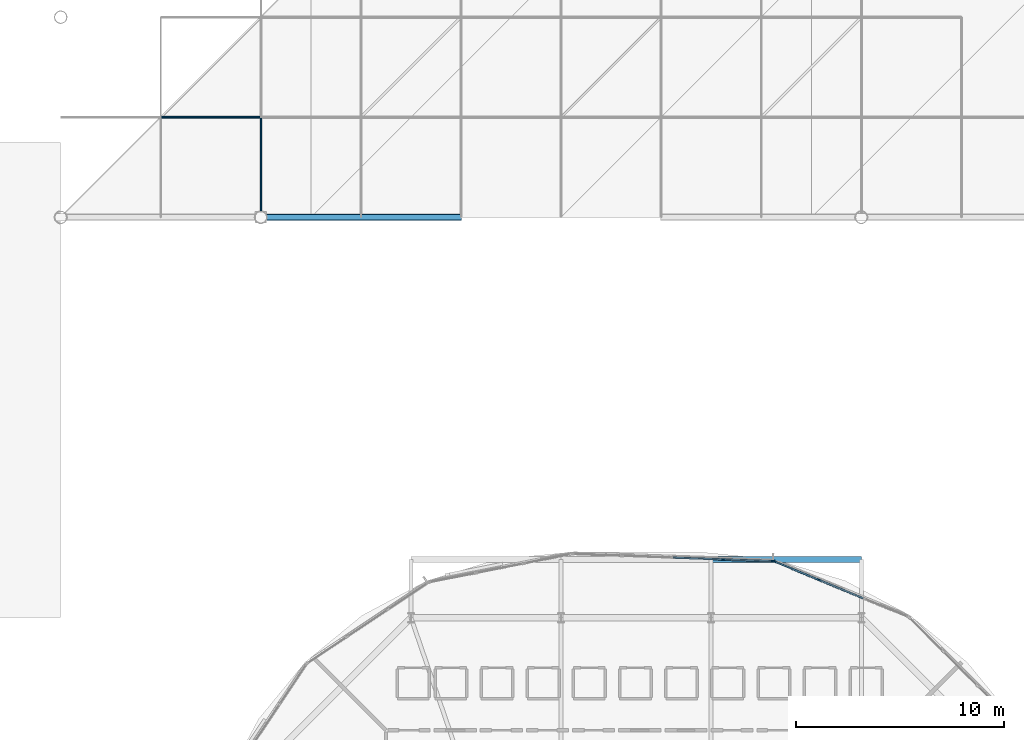
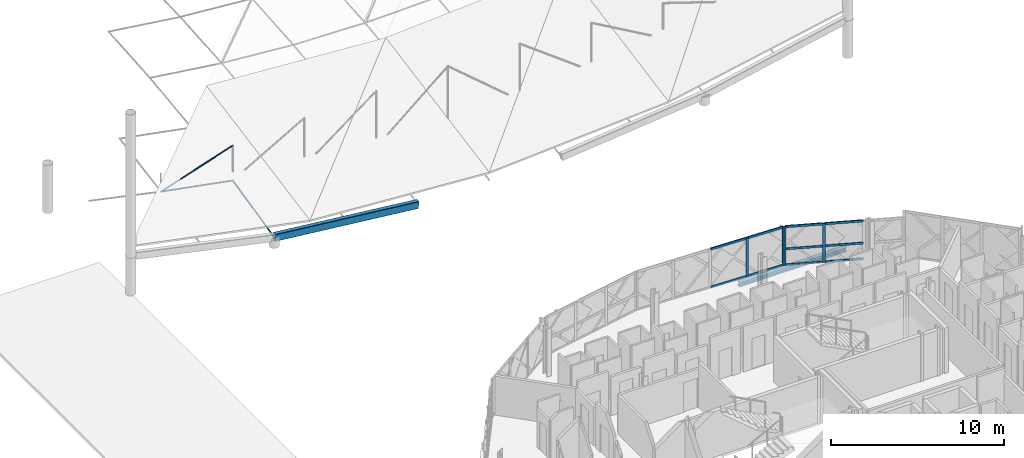
# One storey, part 14 of 40: 17 members, 2 beams, 2 elements without a shape of their own.
"""IFC4 building model written with IfcOpenShell, lengths in metres."""

from ifc_helpers import new_model, si_unit, direction, frame, origin, origin_2d, place, context, subcontext, project, spatial, rectangle, hollow_rectangle, circle, i_section, extrude, material, layer, layer_set, material_profile, profile_set, type_object, element, aggregate, save


model = new_model("IFC4")

# Units and contexts
model_context = context("Model", 3, precision=1e-05, world=origin(), true_north=direction((0.0, 1.0)))
body_context = subcontext(model_context, "Body", "Model", "MODEL_VIEW")
ifc_project = project(units=[si_unit("LENGTHUNIT", "METRE"), si_unit("AREAUNIT", "SQUARE_METRE"), si_unit("VOLUMEUNIT", "CUBIC_METRE"), si_unit("PLANEANGLEUNIT", "RADIAN"), si_unit("MASSUNIT", "GRAM", prefix="KILO")], contexts=[model_context])

# Site, building, storey
site_placement = place(None, origin())
site = spatial("IfcSite", under=ifc_project, at=site_placement, CompositionType="ELEMENT")
building_placement = place(site_placement, origin())
building = spatial("IfcBuilding", under=site, at=building_placement, Name="Zevrakil Square Congress Hotel", CompositionType="ELEMENT")
storey_placement = place(building_placement, frame((0.0, 0.0, 18.10009765625)))
storey = spatial("IfcBuildingStorey", under=building, at=storey_placement, Name="L05", CompositionType="ELEMENT", Elevation=18.10009765625)

# Curtain wall, members
ifc_material_1 = material(Name="Aluminium Anodised Bronze", Category="aluminium")
ifc_layer_1 = layer(ifc_material_1, 0.179931640625)
ifc_layer_set_1 = layer_set([ifc_layer_1], Name="Aluminium Anodised Bronze")
curtain_wall_type_1 = type_object("IfcCurtainWallType", Name="CW-L05-720", PredefinedType="USERDEFINED", material=ifc_layer_set_1)
curtain_wall_1_placement = place(storey_placement, origin())
curtain_wall_1 = element("IfcCurtainWall", 1, at=curtain_wall_1_placement, inside=storey, type_object=curtain_wall_type_1, Name="L05 diamond curtain wall CW-L05-0190", ObjectType="GLAZED CURTAIN WALL", PredefinedType="USERDEFINED")
ifc_material_2 = material(Name="Aluminium Anodised Bronze", Category="aluminium")
ifc_material_profile_1 = material_profile(ifc_material_2, rectangle(XDim=0.074951171875, YDim=0.14990234375, at=origin_2d()), Name="ALU 75x150")
ifc_profile_set_1 = profile_set([ifc_material_profile_1], Name="Aluminium Anodised Bronze")
member_type_1 = type_object("IfcMemberType", Name="CWM-ALU75x150", PredefinedType="USERDEFINED", material=ifc_profile_set_1)
member_1_placement = place(storey_placement, frame((156.087646484375, 46.53173828125, 0.02978515625), z_axis=(-0.923893901698, 0.382648740238, 0.0), x_axis=(-0.382648740238, -0.923893901698, 0.0)))
member_1 = element("IfcMember", 2, at=member_1_placement, type_object=member_type_1, Name="CW-58 transom 2.1", ObjectType="TRANSOM", PredefinedType="USERDEFINED", context=body_context, shape_type="SweptSolid", body=[
    extrude(rectangle(XDim=0.074951171875, YDim=0.14990234375, at=origin_2d()), origin(), (0.0, 0.0, 1.0), 2.275146484375),
])
member_2_placement = place(storey_placement, frame((156.087646484375, 46.53173828125, 1.15283203125), z_axis=(-0.923893901698, 0.382648740238, 0.0), x_axis=(-0.382648740238, -0.923893901698, 0.0)))
member_2 = element("IfcMember", 3, at=member_2_placement, type_object=member_type_1, Name="CW-58 transom 2.2", ObjectType="TRANSOM", PredefinedType="USERDEFINED", context=body_context, shape_type="SweptSolid", body=[
    extrude(rectangle(XDim=0.074951171875, YDim=0.14990234375, at=origin_2d()), origin(), (0.0, 0.0, 1.0), 2.275146484375),
])
member_3_placement = place(storey_placement, frame((156.087646484375, 46.53173828125, 2.71484375), z_axis=(-0.923893901698, 0.382648740238, 0.0), x_axis=(-0.382648740238, -0.923893901698, 0.0)))
member_3 = element("IfcMember", 4, at=member_3_placement, type_object=member_type_1, Name="CW-58 transom 2.3", ObjectType="TRANSOM", PredefinedType="USERDEFINED", context=body_context, shape_type="SweptSolid", body=[
    extrude(rectangle(XDim=0.074951171875, YDim=0.14990234375, at=origin_2d()), origin(), (0.0, 0.0, 1.0), 2.275146484375),
])
member_4_placement = place(storey_placement, frame((153.93017578125, 47.42529296875, 0.02978515625), z_axis=(-0.923901544851, 0.382630285552, 0.0), x_axis=(-0.382630285552, -0.923901544851, 0.0)))
member_4 = element("IfcMember", 5, at=member_4_placement, type_object=member_type_1, Name="CW-58 transom 3.1", ObjectType="TRANSOM", PredefinedType="USERDEFINED", context=body_context, shape_type="SweptSolid", body=[
    extrude(rectangle(XDim=0.074951171875, YDim=0.14990234375, at=origin_2d()), origin(), (0.0, 0.0, 1.0), 2.245361328125),
])
member_5_placement = place(storey_placement, frame((153.93017578125, 47.42529296875, 1.15283203125), z_axis=(-0.923901544851, 0.382630285552, 0.0), x_axis=(-0.382630285552, -0.923901544851, 0.0)))
member_5 = element("IfcMember", 6, at=member_5_placement, type_object=member_type_1, Name="CW-58 transom 3.2", ObjectType="TRANSOM", PredefinedType="USERDEFINED", context=body_context, shape_type="SweptSolid", body=[
    extrude(rectangle(XDim=0.074951171875, YDim=0.14990234375, at=origin_2d()), origin(), (0.0, 0.0, 1.0), 2.245361328125),
])
member_6_placement = place(storey_placement, frame((153.93017578125, 47.42529296875, 2.71484375), z_axis=(-0.923901544851, 0.382630285552, 0.0), x_axis=(-0.382630285552, -0.923901544851, 0.0)))
member_6 = element("IfcMember", 7, at=member_6_placement, type_object=member_type_1, Name="CW-58 transom 3.3", ObjectType="TRANSOM", PredefinedType="USERDEFINED", context=body_context, shape_type="SweptSolid", body=[
    extrude(rectangle(XDim=0.074951171875, YDim=0.14990234375, at=origin_2d()), origin(), (0.0, 0.0, 1.0), 2.245361328125),
])

ifc_material_3 = material(Name="Aluminium Anodised Bronze", Category="aluminium")
ifc_layer_2 = layer(ifc_material_3, 0.179931640625)
ifc_layer_set_2 = layer_set([ifc_layer_2], Name="Aluminium Anodised Bronze")
curtain_wall_type_2 = type_object("IfcCurtainWallType", Name="CW-L05-900", PredefinedType="USERDEFINED", material=ifc_layer_set_2)
curtain_wall_2_placement = place(storey_placement, origin())
curtain_wall_2 = element("IfcCurtainWall", 8, at=curtain_wall_2_placement, inside=storey, type_object=curtain_wall_type_2, Name="L05 diamond curtain wall CW-L05-0191", ObjectType="GLAZED CURTAIN WALL", PredefinedType="USERDEFINED")
member_7_placement = place(storey_placement, frame((151.740234375, 48.3095703125, 0.02978515625), z_axis=(-0.999368433945, 0.035534957911, 0.0), x_axis=(-0.035534957911, -0.999368433945, 0.0)))
member_7 = element("IfcMember", 9, at=member_7_placement, type_object=member_type_1, Name="CW-60 transom 1.1", ObjectType="TRANSOM", PredefinedType="USERDEFINED", context=body_context, shape_type="SweptSolid", body=[
    extrude(rectangle(XDim=0.074951171875, YDim=0.14990234375, at=origin_2d()), origin(), (0.0, 0.0, 1.0), 2.3359375),
])
member_8_placement = place(storey_placement, frame((151.740234375, 48.3095703125, 2.71484375), z_axis=(-0.999368433945, 0.035534957911, 0.0), x_axis=(-0.035534957911, -0.999368433945, 0.0)))
member_8 = element("IfcMember", 10, at=member_8_placement, type_object=member_type_1, Name="CW-60 transom 1.2", ObjectType="TRANSOM", PredefinedType="USERDEFINED", context=body_context, shape_type="SweptSolid", body=[
    extrude(rectangle(XDim=0.074951171875, YDim=0.14990234375, at=origin_2d()), origin(), (0.0, 0.0, 1.0), 2.3359375),
])
member_9_placement = place(storey_placement, frame((149.345947265625, 48.394775390625, 0.02978515625), z_axis=(-0.999366136322, 0.035599516472, 0.0), x_axis=(-0.035599516472, -0.999366136322, 0.0)))
member_9 = element("IfcMember", 11, at=member_9_placement, type_object=member_type_1, Name="CW-60 transom 2.1", ObjectType="TRANSOM", PredefinedType="USERDEFINED", context=body_context, shape_type="SweptSolid", body=[
    extrude(rectangle(XDim=0.074951171875, YDim=0.14990234375, at=origin_2d()), origin(), (0.0, 0.0, 1.0), 2.365966796875),
])
member_10_placement = place(storey_placement, frame((149.345947265625, 48.394775390625, 2.71484375), z_axis=(-0.999366136322, 0.035599516472, 0.0), x_axis=(-0.035599516472, -0.999366136322, 0.0)))
member_10 = element("IfcMember", 12, at=member_10_placement, type_object=member_type_1, Name="CW-60 transom 2.2", ObjectType="TRANSOM", PredefinedType="USERDEFINED", context=body_context, shape_type="SweptSolid", body=[
    extrude(rectangle(XDim=0.074951171875, YDim=0.14990234375, at=origin_2d()), origin(), (0.0, 0.0, 1.0), 2.365966796875),
])

# Member
ifc_material_4 = material(Name="Aluminium Anodised Bronze", Category="aluminium")
ifc_material_profile_2 = material_profile(ifc_material_4, rectangle(XDim=0.074951171875, YDim=0.179931640625, at=origin_2d()), Name="ALU 75x180")
ifc_profile_set_2 = profile_set([ifc_material_profile_2], Name="Aluminium Anodised Bronze")
member_type_2 = type_object("IfcMemberType", Name="CWM-ALU75x180", PredefinedType="MULLION", material=ifc_profile_set_2)
member_11_placement = place(storey_placement, frame((153.957763671875, 47.413818359375, 0.0), z_axis=(0.0, 0.0, 1.0), x_axis=(-0.382683763454, -0.92387939537, 0.0)))
member_11 = element("IfcMember", 13, at=member_11_placement, type_object=member_type_2, Name="CW-58 mullion 3", PredefinedType="MULLION", context=body_context, shape_type="SweptSolid", body=[
    extrude(rectangle(XDim=0.074951171875, YDim=0.179931640625, at=origin_2d()), origin(), (0.0, 0.0, 1.0), 2.744873046875),
])

member_12_placement = place(storey_placement, frame((151.828125, 48.2958984375, 0.0), z_axis=(0.0, 0.0, 1.0), x_axis=(-0.382683763454, -0.92387939537, 0.0)))
member_12 = element("IfcMember", 14, at=member_12_placement, type_object=member_type_2, Name="CW-58 mullion 4", PredefinedType="MULLION", context=body_context, shape_type="SweptSolid", body=[
    extrude(rectangle(XDim=0.074951171875, YDim=0.179931640625, at=origin_2d()), origin(), (0.0, 0.0, 1.0), 2.744873046875),
])

aggregate(curtain_wall_1, [member_11, member_12, member_1, member_2, member_3, member_4, member_5, member_6])

member_13_placement = place(storey_placement, frame((151.770263671875, 48.30859375, 0.0), z_axis=(0.0, 0.0, 1.0), x_axis=(-0.035552588564, -0.999367806889, 0.0)))
member_13 = element("IfcMember", 15, at=member_13_placement, type_object=member_type_2, Name="CW-60 mullion 1", PredefinedType="MULLION", context=body_context, shape_type="SweptSolid", body=[
    extrude(rectangle(XDim=0.074951171875, YDim=0.179931640625, at=origin_2d()), origin(), (0.0, 0.0, 1.0), 2.744873046875),
])

member_14_placement = place(storey_placement, frame((149.375732421875, 48.393798828125, 0.0), z_axis=(0.0, 0.0, 1.0), x_axis=(-0.035552588564, -0.999367806889, 0.0)))
member_14 = element("IfcMember", 16, at=member_14_placement, type_object=member_type_2, Name="CW-60 mullion 2", PredefinedType="MULLION", context=body_context, shape_type="SweptSolid", body=[
    extrude(rectangle(XDim=0.074951171875, YDim=0.179931640625, at=origin_2d()), origin(), (0.0, 0.0, 1.0), 2.744873046875),
])

aggregate(curtain_wall_2, [member_13, member_14, member_7, member_8, member_9, member_10])

# Members
ifc_material_5 = material(Name="Steel S355", Category="steel")
ifc_material_profile_3 = material_profile(ifc_material_5, circle(Radius=0.030029296875, at=origin_2d()), Name="CABLE RD60")
ifc_profile_set_3 = profile_set([ifc_material_profile_3], Name="Steel S355")
member_type_3 = type_object("IfcMemberType", Name="MEM-CABLE-RD60", PredefinedType="USERDEFINED", material=ifc_profile_set_3)
member_15_placement = place(storey_placement, frame((122.39990234375, 69.60009765625, 2.577880859375), z_axis=(0.95029004287, 0.0, 0.311366077828), x_axis=(0.0, 1.0, 0.0)))
element("IfcMember", 17, at=member_15_placement, inside=storey, type_object=member_type_3, Name="Congress cable-truss web diagonal CBD-01-2", ObjectType="ROOF CABLE", PredefinedType="USERDEFINED", context=body_context, shape_type="SweptSolid", body=[
    extrude(circle(Radius=0.030029296875, at=origin_2d()), origin(), (0.0, 0.0, 1.0), 5.051025390625),
])
ifc_material_6 = material(Name="Steel S355", Category="steel")
ifc_material_profile_4 = material_profile(ifc_material_6, circle(Radius=0.033935546875, at=origin_2d()), Name="CABLE RD68")
ifc_profile_set_4 = profile_set([ifc_material_profile_4], Name="Steel S355")
member_type_4 = type_object("IfcMemberType", Name="MEM-CABLE-RD68", PredefinedType="USERDEFINED", material=ifc_profile_set_4)
member_16_placement = place(storey_placement, frame((127.199951171875, 64.800048828125, 0.601806640625), z_axis=(0.0, 0.975169384168, 0.221460317395), x_axis=(-1.0, 0.0, 0.0)))
element("IfcMember", 18, at=member_16_placement, inside=storey, type_object=member_type_4, Name="Congress saddle stabilizing cable CBH-02 seg 1", ObjectType="ROOF CABLE", PredefinedType="USERDEFINED", context=body_context, shape_type="SweptSolid", body=[
    extrude(circle(Radius=0.033935546875, at=origin_2d()), origin(), (0.0, 0.0, 1.0), 4.92236328125),
])
ifc_material_7 = material(Name="Steel S355", Category="steel")
ifc_material_profile_5 = material_profile(ifc_material_7, circle(Radius=0.0380859375, at=origin_2d()), Name="CABLE RD76")
ifc_profile_set_5 = profile_set([ifc_material_profile_5], Name="Steel S355")
member_type_5 = type_object("IfcMemberType", Name="MEM-CABLE-RD76", PredefinedType="USERDEFINED", material=ifc_profile_set_5)
member_17_placement = place(storey_placement, frame((122.39990234375, 69.60009765625, 2.577880859375), z_axis=(0.983020729765, 0.0, -0.183494536302), x_axis=(0.0, 1.0, 0.0)))
element("IfcMember", 19, at=member_17_placement, inside=storey, type_object=member_type_5, Name="Congress saddle carrying cable CBS-01 seg 2", ObjectType="ROOF CABLE", PredefinedType="USERDEFINED", context=body_context, shape_type="SweptSolid", body=[
    extrude(circle(Radius=0.0380859375, at=origin_2d()), origin(), (0.0, 0.0, 1.0), 4.883056640625),
])

# Beams
ifc_material_8 = material(Name="Steel S355", Category="steel")
ifc_material_profile_6 = material_profile(ifc_material_8, hollow_rectangle(XDim=0.300048828125, YDim=0.5, WallThickness=0.02001953125, InnerFilletRadius=0.02001953125, OuterFilletRadius=0.0400390625, at=origin_2d()), Name="RHS 500x300x20")
ifc_profile_set_6 = profile_set([ifc_material_profile_6], Name="Steel S355")
beam_type_1 = type_object("IfcBeamType", Name="RNG-RHS500", PredefinedType="USERDEFINED", material=ifc_profile_set_6)
beam_1_placement = place(storey_placement, frame((127.199951171875, 64.800048828125, 0.601806640625), z_axis=(0.994360125075, 0.0, -0.10605631363), x_axis=(0.0, 1.0, 0.0)))
element("IfcBeam", 20, at=beam_1_placement, inside=storey, type_object=beam_type_1, Name="Congress Hall compression ring beam RB-02", ObjectType="RING BEAM", PredefinedType="USERDEFINED", context=body_context, shape_type="SweptSolid", body=[
    extrude(hollow_rectangle(XDim=0.300048828125, YDim=0.5, WallThickness=0.02001953125, InnerFilletRadius=0.02001953125, OuterFilletRadius=0.0400390625, at=origin_2d()), origin(), (0.0, 0.0, 1.0), 9.654541015625),
])
ifc_material_9 = material(Name="Steel S355", Category="steel")
ifc_material_profile_7 = material_profile(ifc_material_9, i_section(OverallWidth=0.300048828125, OverallDepth=0.300048828125, WebThickness=0.010986328125, FlangeThickness=0.01904296875, FilletRadius=0.027099609375, at=origin_2d()), Name="HEB 300")
ifc_profile_set_7 = profile_set([ifc_material_profile_7], Name="Steel S355")
beam_type_2 = type_object("IfcBeamType", Name="SPD-RHS250", PredefinedType="SPANDREL", material=ifc_profile_set_7)
beam_2_placement = place(storey_placement, frame((156.0, 48.392578125, -0.335205078125), z_axis=(-1.0, 0.0, 0.0), x_axis=(0.0, -1.0, 0.0)))
element("IfcBeam", 21, at=beam_2_placement, inside=storey, type_object=beam_type_2, Name="L05 drum edge spandrel beam DSP-08", PredefinedType="SPANDREL", context=body_context, shape_type="SweptSolid", body=[
    extrude(i_section(OverallWidth=0.300048828125, OverallDepth=0.300048828125, WebThickness=0.010986328125, FlangeThickness=0.01904296875, FilletRadius=0.027099609375, at=origin_2d()), origin(), (0.0, 0.0, 1.0), 7.199951171875),
])

save(model, "model.ifc")
